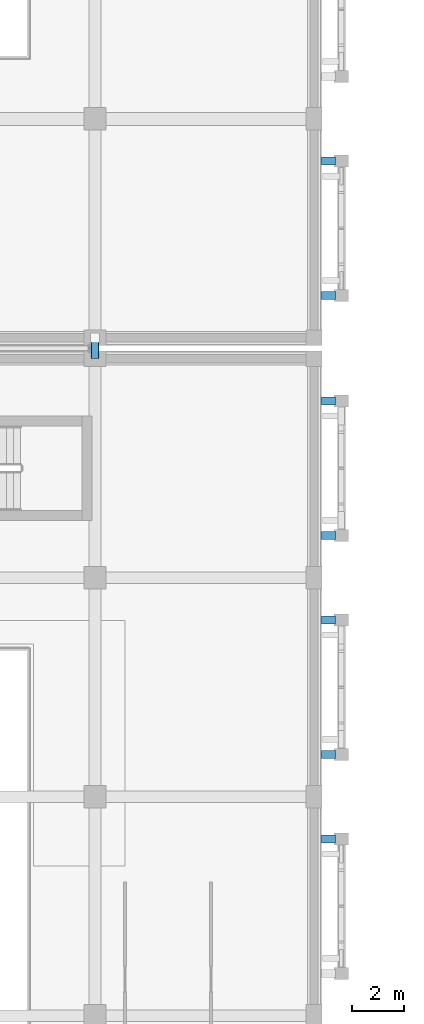
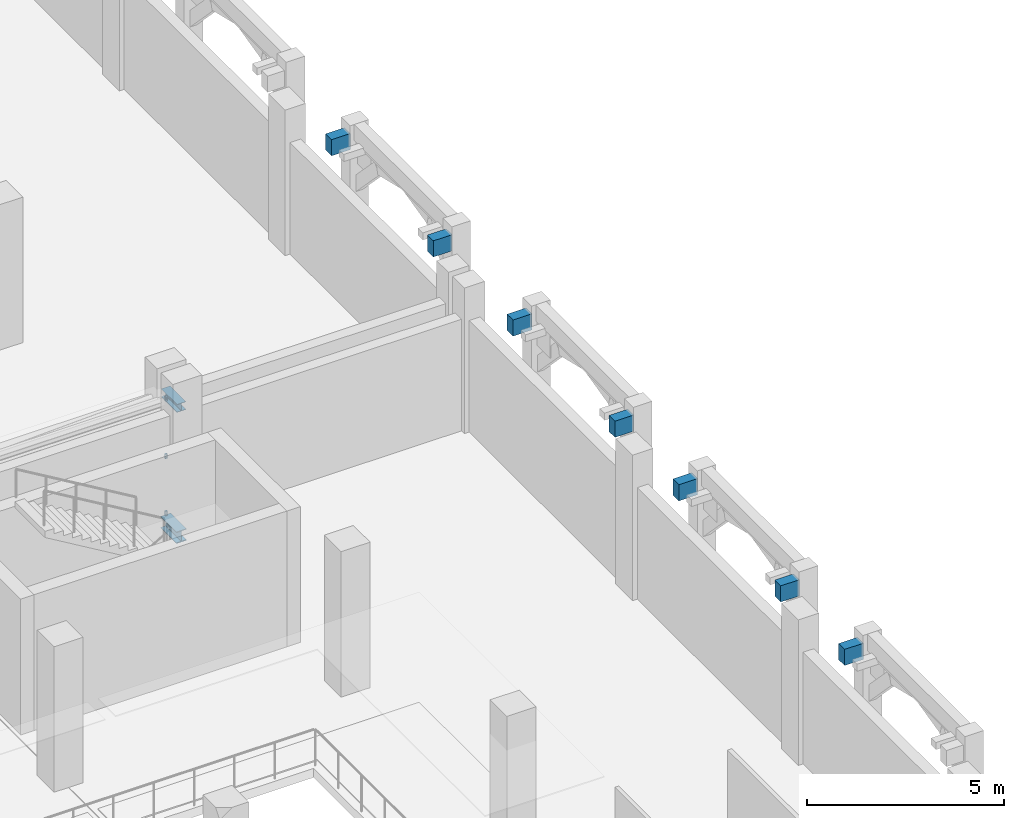
# One storey, part 81 of 137: 9 beams, 3 members, 1 element without a shape of its own.
"""IFC4 building model written with IfcOpenShell, lengths in metres."""

from ifc_helpers import new_model, si_unit, direction, frame, origin, origin_2d, place, context, subcontext, project, spatial, rectangle, hollow_rectangle, i_section, extrude, material, layer, layer_set, material_profile, profile_set, type_object, element, aggregate, save


model = new_model("IFC4")

# Units and contexts
model_context = context("Model", 3, precision=1e-05, world=origin(), true_north=direction((0.0, 1.0)))
body_context = subcontext(model_context, "Body", "Model", "MODEL_VIEW")
ifc_project = project(units=[si_unit("LENGTHUNIT", "METRE"), si_unit("AREAUNIT", "SQUARE_METRE"), si_unit("VOLUMEUNIT", "CUBIC_METRE"), si_unit("PLANEANGLEUNIT", "RADIAN"), si_unit("MASSUNIT", "GRAM", prefix="KILO")], contexts=[model_context])

# Site, building, storey
site_placement = place(None, origin())
site = spatial("IfcSite", under=ifc_project, at=site_placement, CompositionType="ELEMENT")
building_placement = place(site_placement, origin())
building = spatial("IfcBuilding", under=site, at=building_placement, Name="Xazarin Passage Department Store", CompositionType="ELEMENT")
storey_placement = place(building_placement, frame((0.0, 0.0, 5.39990234375)))
storey = spatial("IfcBuildingStorey", under=building, at=storey_placement, Name="L01", CompositionType="ELEMENT", Elevation=5.39990234375)

# Curtain wall, members
ifc_material_1 = material(Name="Bronze anodised aluminium", Category="aluminium")
ifc_layer = layer(ifc_material_1, 0.14990234375)
ifc_layer_set = layer_set([ifc_layer], Name="Bronze anodised aluminium")
curtain_wall_type = type_object("IfcCurtainWallType", Name="ARC-CW-BRG1", PredefinedType="NOTDEFINED", material=ifc_layer_set)
curtain_wall_placement = place(storey_placement, origin())
curtain_wall = element("IfcCurtainWall", 1, at=curtain_wall_placement, inside=storey, type_object=curtain_wall_type, Name="L01 BR-V2S-V2N Bridge Curtain Wall 2", PredefinedType="NOTDEFINED")
ifc_material_profile_1 = material_profile(ifc_material_1, hollow_rectangle(XDim=0.06494140625, YDim=0.139892578125, WallThickness=0.00390625, at=origin_2d()), Name="ALU 65x140")
ifc_profile_set_1 = profile_set([ifc_material_profile_1], Name="Bronze anodised aluminium")
member_type = type_object("IfcMemberType", Name="ARC-CWT-65x140", PredefinedType="USERDEFINED", material=ifc_profile_set_1)
member_1_placement = place(storey_placement, frame((92.97998046875, 50.77490234375, 0.03271484375), z_axis=(0.0, 1.0, 0.0), x_axis=(-1.0, 0.0, 0.0)))
member_1 = element("IfcMember", 2, at=member_1_placement, type_object=member_type, Name="CW7 transom 1.1", ObjectType="TRANSOM", PredefinedType="USERDEFINED", context=body_context, shape_type="SweptSolid", body=[
    extrude(hollow_rectangle(XDim=0.06494140625, YDim=0.139892578125, WallThickness=0.00390625, at=origin_2d()), origin(), (0.0, 0.0, 1.0), 0.050048828125),
])
member_2_placement = place(storey_placement, frame((92.97998046875, 50.77490234375, 1.800048828125), z_axis=(0.0, 1.0, 0.0), x_axis=(-1.0, 0.0, 0.0)))
member_2 = element("IfcMember", 3, at=member_2_placement, type_object=member_type, Name="CW7 transom 1.2", ObjectType="TRANSOM", PredefinedType="USERDEFINED", context=body_context, shape_type="SweptSolid", body=[
    extrude(hollow_rectangle(XDim=0.06494140625, YDim=0.139892578125, WallThickness=0.00390625, at=origin_2d()), origin(), (0.0, 0.0, 1.0), 0.050048828125),
])
member_3_placement = place(storey_placement, frame((92.97998046875, 50.77490234375, 3.567626953125), z_axis=(0.0, 1.0, 0.0), x_axis=(-1.0, 0.0, 0.0)))
member_3 = element("IfcMember", 4, at=member_3_placement, type_object=member_type, Name="CW7 transom 1.3", ObjectType="TRANSOM", PredefinedType="USERDEFINED", context=body_context, shape_type="SweptSolid", body=[
    extrude(hollow_rectangle(XDim=0.06494140625, YDim=0.139892578125, WallThickness=0.00390625, at=origin_2d()), origin(), (0.0, 0.0, 1.0), 0.050048828125),
])
aggregate(curtain_wall, [member_1, member_2, member_3])

# Beams
ifc_material_2 = material(Name="Steel S355", Category="steel")
ifc_material_profile_2 = material_profile(ifc_material_2, i_section(OverallWidth=0.300048828125, OverallDepth=0.360107421875, WebThickness=0.012451171875, FlangeThickness=0.0224609375, FilletRadius=0.027099609375, at=origin_2d()), Name="HEB 360")
ifc_profile_set_2 = profile_set([ifc_material_profile_2], Name="Steel S355")
beam_type_1 = type_object("IfcBeamType", Name="STR-BM-BR360", PredefinedType="BEAM", material=ifc_profile_set_2)
beam_1_placement = place(storey_placement, frame((93.199951171875, 50.39990234375, -0.52001953125), z_axis=(0.0, 1.0, 0.0), x_axis=(-1.0, 0.0, 0.0)))
element("IfcBeam", 5, at=beam_1_placement, inside=storey, type_object=beam_type_1, Name="L01 BR-V2S-V2N Bridge Girder B", PredefinedType="BEAM", context=body_context, shape_type="SweptSolid", body=[
    extrude(i_section(OverallWidth=0.300048828125, OverallDepth=0.360107421875, WebThickness=0.012451171875, FlangeThickness=0.0224609375, FilletRadius=0.027099609375, at=origin_2d()), origin(), (0.0, 0.0, 1.0), 0.800048828125),
])
ifc_material_profile_3 = material_profile(ifc_material_2, i_section(OverallWidth=0.260009765625, OverallDepth=0.25, WebThickness=0.007568359375, FlangeThickness=0.012451171875, FilletRadius=0.02392578125, at=origin_2d()), Name="HEA 260")
ifc_profile_set_3 = profile_set([ifc_material_profile_3], Name="Steel S355")
beam_type_2 = type_object("IfcBeamType", Name="STR-BM-CAN260", PredefinedType="BEAM", material=ifc_profile_set_3)
beam_2_placement = place(storey_placement, frame((93.199951171875, 50.39990234375, 3.47509765625), z_axis=(0.0, 1.0, 0.0), x_axis=(-1.0, 0.0, 0.0)))
element("IfcBeam", 6, at=beam_2_placement, inside=storey, type_object=beam_type_2, Name="L01 BR-V2S-V2N Bridge Roof Beam B", PredefinedType="BEAM", context=body_context, shape_type="SweptSolid", body=[
    extrude(i_section(OverallWidth=0.260009765625, OverallDepth=0.25, WebThickness=0.007568359375, FlangeThickness=0.012451171875, FilletRadius=0.02392578125, at=origin_2d()), origin(), (0.0, 0.0, 1.0), 0.800048828125),
])
ifc_material_3 = material(Name="Concrete C35/45", Category="concrete")
ifc_material_profile_4 = material_profile(ifc_material_3, rectangle(XDim=0.300048828125, YDim=0.5, at=origin_2d()), Name="RC 300x500")
ifc_profile_set_4 = profile_set([ifc_material_profile_4], Name="Concrete C35/45")
beam_type_3 = type_object("IfcBeamType", Name="STR-BM-LN300x500", PredefinedType="LINTEL", material=ifc_profile_set_4)
for number, where, z_axis, x_axis, name in (
    (7, (101.8798828125, 31.97998046875, 3.9501953125), (1.0, 0.0, 0.0), (0.0, 1.0, 0.0), "L01 V2S Colonnade Tie Rib 021R"),
    (8, (101.8798828125, 35.219970703125, 3.9501953125), (1.0, 0.0, 0.0), (0.0, 1.0, 0.0), "L01 V2S Colonnade Tie Rib 022L"),
    (9, (101.8798828125, 40.3798828125, 3.9501953125), (1.0, 0.0, 0.0), (0.0, 1.0, 0.0), "L01 V2S Colonnade Tie Rib 022R"),
    (10, (101.8798828125, 43.6201171875, 3.9501953125), (1.0, 0.0, 0.0), (0.0, 1.0, 0.0), "L01 V2S Colonnade Tie Rib 023L"),
    (11, (101.8798828125, 48.780029296875, 3.9501953125), (1.0, 0.0, 0.0), (0.0, 1.0, 0.0), "L01 V2S Colonnade Tie Rib 023R"),
    (12, (101.8798828125, 52.820068359375, 3.9501953125), (1.0, 0.0, 0.0), (0.0, 1.0, 0.0), "L01 V2N Colonnade Tie Rib 024L"),
    (13, (101.8798828125, 57.97998046875, 3.9501953125), (1.0, 0.0, 0.0), (0.0, 1.0, 0.0), "L01 V2N Colonnade Tie Rib 024R"),
):
    element("IfcBeam", number, at=place(storey_placement, frame(where, z_axis=z_axis, x_axis=x_axis)), inside=storey, type_object=beam_type_3, Name=name, PredefinedType="LINTEL", context=body_context, shape_type="SweptSolid", body=[
        extrude(rectangle(XDim=0.300048828125, YDim=0.5, at=origin_2d()), origin(), (0.0, 0.0, 1.0), 0.550048828125),
    ])

save(model, "model.ifc")
